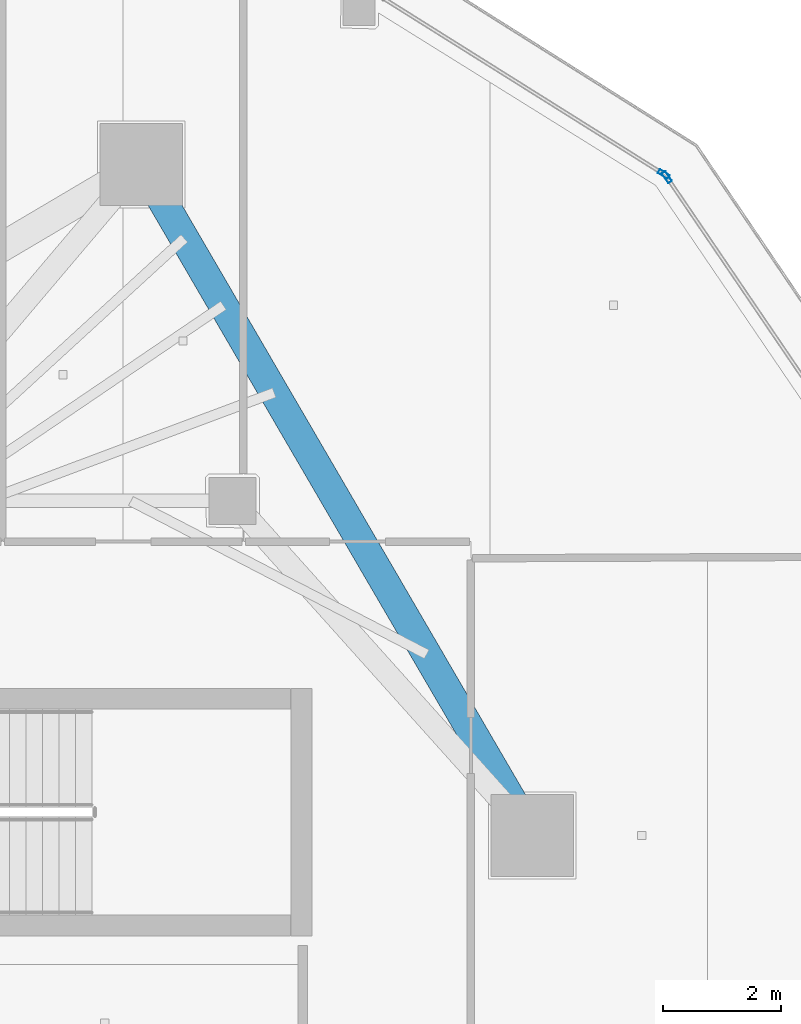
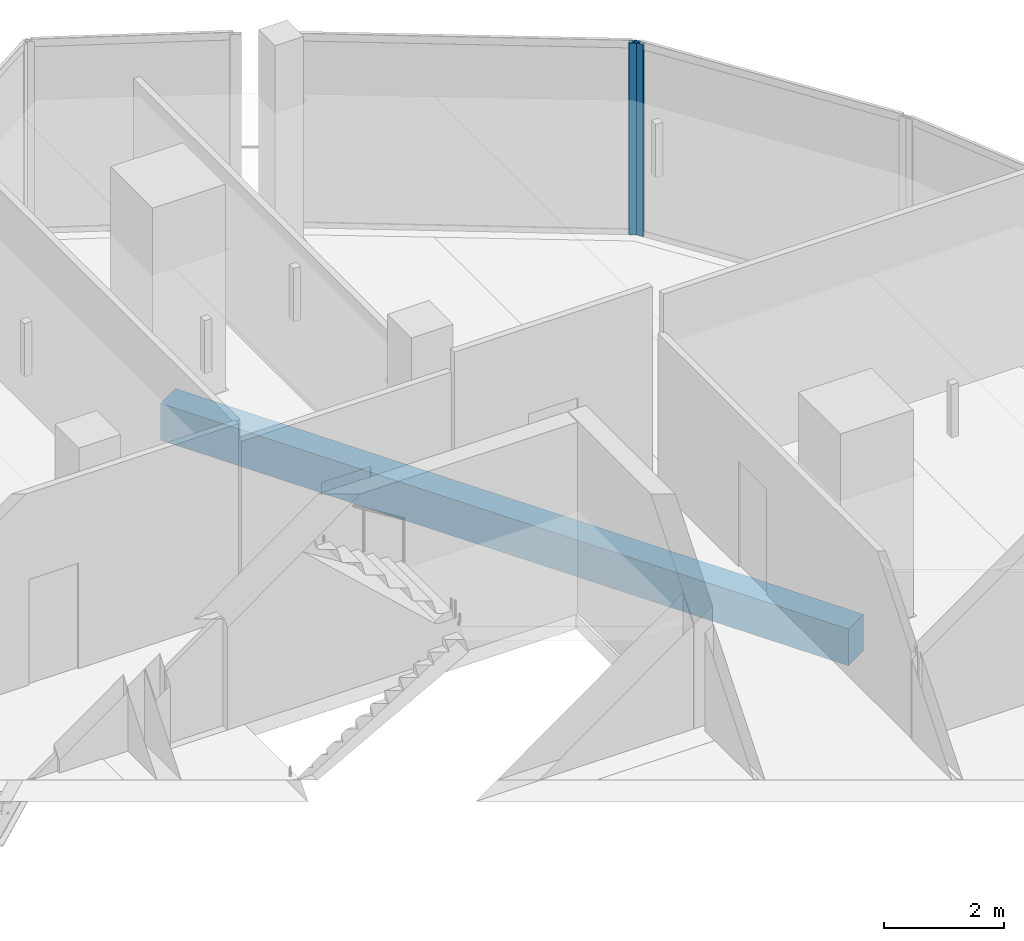
# One storey, part 13 of 25: 2 members, 1 beam, 2 elements without a shape of their own.
"""IFC4 building model written with IfcOpenShell, lengths in metres."""

from ifc_helpers import new_model, si_unit, direction, frame, origin, origin_2d, place, context, subcontext, project, spatial, rectangle, hollow_rectangle, extrude, material, layer, layer_set, material_profile, profile_set, type_object, element, aggregate, save


model = new_model("IFC4")

# Units and contexts
model_context = context("Model", 3, precision=1e-05, world=origin(), true_north=direction((0.0, 1.0)))
body_context = subcontext(model_context, "Body", "Model", "MODEL_VIEW")
ifc_project = project(units=[si_unit("LENGTHUNIT", "METRE"), si_unit("AREAUNIT", "SQUARE_METRE"), si_unit("VOLUMEUNIT", "CUBIC_METRE"), si_unit("PLANEANGLEUNIT", "RADIAN"), si_unit("MASSUNIT", "GRAM", prefix="KILO")], contexts=[model_context])

# Site, building, storey
site_placement = place(None, origin())
site = spatial("IfcSite", under=ifc_project, at=site_placement, CompositionType="ELEMENT")
building_placement = place(site_placement, origin())
building = spatial("IfcBuilding", under=site, at=building_placement, Name="Qorvath Tower", CompositionType="ELEMENT")
storey_placement = place(building_placement, frame((0.0, 0.0, 306.0)))
storey = spatial("IfcBuildingStorey", under=building, at=storey_placement, Name="L71", CompositionType="ELEMENT", Elevation=306.0)

# Beam
ifc_material_1 = material(Name="Concrete C45/55", Category="concrete")
ifc_material_profile_1 = material_profile(ifc_material_1, rectangle(XDim=0.5, YDim=0.75, at=origin_2d()), Name="RCB 750x500")
ifc_profile_set_1 = profile_set([ifc_material_profile_1], Name="Concrete C45/55")
beam_type = type_object("IfcBeamType", Name="BM-RCB3", PredefinedType="SPANDREL", material=ifc_profile_set_1)
beam_placement = place(storey_placement, frame((-12.0966796875, 5.7578125, -0.6650390625), z_axis=(-0.503502256692, 0.863993910572, 0.0), x_axis=(-0.863993910572, -0.503502256692, 0.0)))
element("IfcBeam", 1, at=beam_placement, inside=storey, type_object=beam_type, Name="Perimeter Loggia Frame Beam MC5-MC6 L71", PredefinedType="SPANDREL", context=body_context, shape_type="SweptSolid", body=[
    extrude(rectangle(XDim=0.5, YDim=0.75, at=origin_2d()), origin(), (0.0, 0.0, 1.0), 13.215087890625),
])

# Curtain wall, member
ifc_material_2 = material(Name="Anodised aluminium and triple low-E glass", Category="aluminium")
ifc_layer = layer(ifc_material_2, 0.179931640625)
ifc_layer_set = layer_set([ifc_layer], Name="CW-SYS-4")
curtain_wall_type = type_object("IfcCurtainWallType", Name="CW-SYS-4", PredefinedType="NOTDEFINED", material=ifc_layer_set)
curtain_wall_1_placement = place(storey_placement, origin())
curtain_wall_1 = element("IfcCurtainWall", 2, at=curtain_wall_1_placement, inside=storey, type_object=curtain_wall_type, Name="Curtain Wall CW-4 CW-T-L71-13.1", PredefinedType="NOTDEFINED")
ifc_material_3 = material(Name="Anodised aluminium 6063-T6", Category="aluminium")
ifc_material_profile_2 = material_profile(ifc_material_3, hollow_rectangle(XDim=0.074951171875, YDim=0.199951171875, WallThickness=0.00390625, InnerFilletRadius=0.00390625, OuterFilletRadius=0.008056640625, at=origin_2d()), Name="CWM 200x75")
ifc_profile_set_2 = profile_set([ifc_material_profile_2], Name="Anodised aluminium 6063-T6")
member_type = type_object("IfcMemberType", Name="CWM-200", PredefinedType="MULLION", material=ifc_profile_set_2)
member_1_placement = place(storey_placement, frame((-9.807373046875, 16.960693359375, 0.0), z_axis=(0.0, 0.0, 1.0), x_axis=(-0.827117964298, -0.562028356166, 0.0)))
member_1 = element("IfcMember", 3, at=member_1_placement, type_object=member_type, Name="CW-4 mullion 2", PredefinedType="MULLION", context=body_context, shape_type="SweptSolid", body=[
    extrude(hollow_rectangle(XDim=0.074951171875, YDim=0.199951171875, WallThickness=0.00390625, InnerFilletRadius=0.00390625, OuterFilletRadius=0.008056640625, at=origin_2d()), origin(), (0.0, 0.0, 1.0), 3.909912109375),
])
aggregate(curtain_wall_1, [member_1])

curtain_wall_2_placement = place(storey_placement, origin())
curtain_wall_2 = element("IfcCurtainWall", 4, at=curtain_wall_2_placement, inside=storey, type_object=curtain_wall_type, Name="Curtain Wall CW-4 CW-T-L71-14.1", PredefinedType="NOTDEFINED")
member_2_placement = place(storey_placement, frame((-9.860107421875, 17.01171875, 0.0), z_axis=(0.0, 0.0, 1.0), x_axis=(-0.531358682964, -0.847146947134, 0.0)))
member_2 = element("IfcMember", 5, at=member_2_placement, type_object=member_type, Name="CW-4 mullion 1", PredefinedType="MULLION", context=body_context, shape_type="SweptSolid", body=[
    extrude(hollow_rectangle(XDim=0.074951171875, YDim=0.199951171875, WallThickness=0.00390625, InnerFilletRadius=0.00390625, OuterFilletRadius=0.008056640625, at=origin_2d()), origin(), (0.0, 0.0, 1.0), 3.909912109375),
])
aggregate(curtain_wall_2, [member_2])

save(model, "model.ifc")
